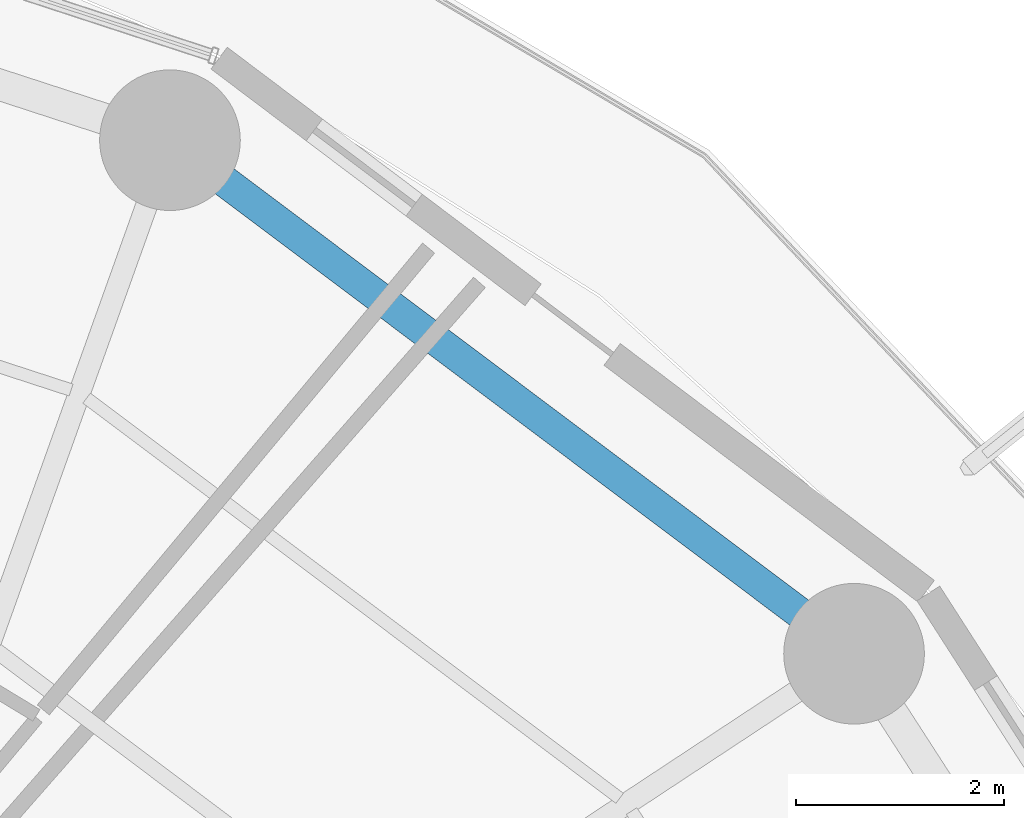
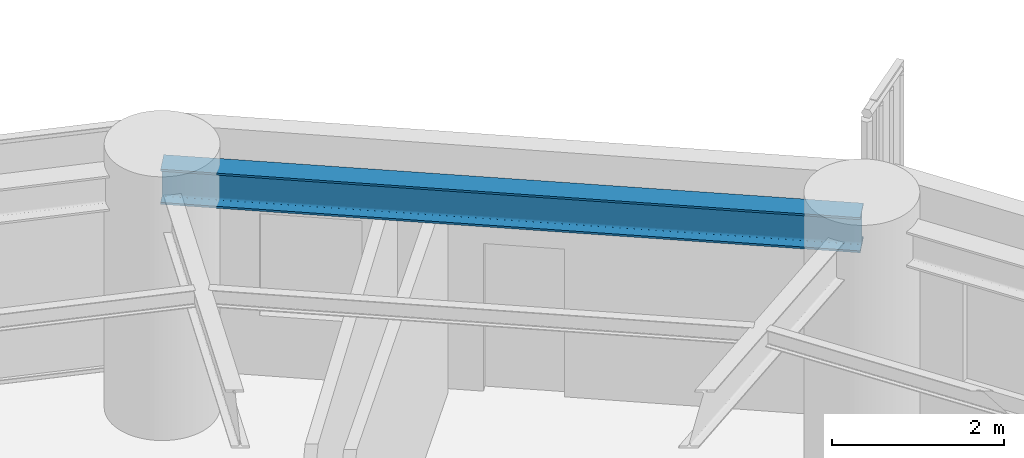
# One storey, part 26 of 38: 1 beam.
"""IFC4 building model written with IfcOpenShell, lengths in metres."""

from ifc_helpers import new_model, si_unit, direction, frame, origin, origin_2d, place, context, subcontext, project, spatial, i_section, extrude, material, material_profile, profile_set, type_object, element, save


model = new_model("IFC4")

# Units and contexts
model_context = context("Model", 3, precision=1e-05, world=origin(), true_north=direction((0.0, 1.0)))
body_context = subcontext(model_context, "Body", "Model", "MODEL_VIEW")
ifc_project = project(units=[si_unit("LENGTHUNIT", "METRE"), si_unit("AREAUNIT", "SQUARE_METRE"), si_unit("VOLUMEUNIT", "CUBIC_METRE"), si_unit("PLANEANGLEUNIT", "RADIAN"), si_unit("MASSUNIT", "GRAM", prefix="KILO")], contexts=[model_context])

# Site, building, storey
site_placement = place(None, origin())
site = spatial("IfcSite", under=ifc_project, at=site_placement, CompositionType="ELEMENT")
building_placement = place(site_placement, origin())
building = spatial("IfcBuilding", under=site, at=building_placement, Name="Kelanora Arch Commons", CompositionType="ELEMENT")
storey_placement = place(building_placement, frame((0.0, 0.0, 106.35009765625)))
storey = spatial("IfcBuildingStorey", under=building, at=storey_placement, Name="L27", CompositionType="ELEMENT", Elevation=106.35009765625)

# Beam
ifc_material = material(Name="Steel S355", Category="steel")
ifc_material_profile = material_profile(ifc_material, i_section(OverallWidth=0.300048828125, OverallDepth=0.5, WebThickness=0.014404296875, FlangeThickness=0.028076171875, FilletRadius=0.027099609375, at=origin_2d()), Name="HEB500")
ifc_profile_set = profile_set([ifc_material_profile], Name="Steel S355")
beam_type = type_object("IfcBeamType", Name="BM-SPN-Z2", PredefinedType="SPANDREL", material=ifc_profile_set)
beam_placement = place(storey_placement, frame((92.906005859375, 72.19287109375, 3.239990234375), z_axis=(-0.799735861602, 0.600352023123, 0.0), x_axis=(-0.600352023123, -0.799735861602, 0.0)))
element("IfcBeam", 1, at=beam_placement, inside=storey, type_object=beam_type, Name="Perimeter Spandrel Beam BS-04 L27", PredefinedType="SPANDREL", context=body_context, shape_type="SweptSolid", body=[
    extrude(i_section(OverallWidth=0.300048828125, OverallDepth=0.5, WebThickness=0.014404296875, FlangeThickness=0.028076171875, FilletRadius=0.027099609375, at=origin_2d()), origin(), (0.0, 0.0, 1.0), 8.210205078125),
])

save(model, "model.ifc")
